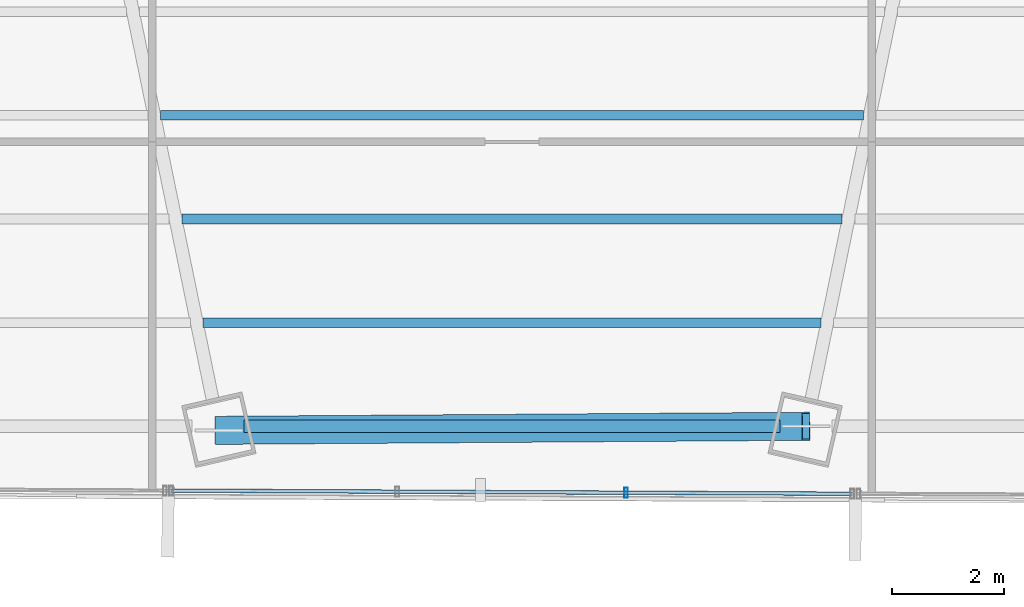
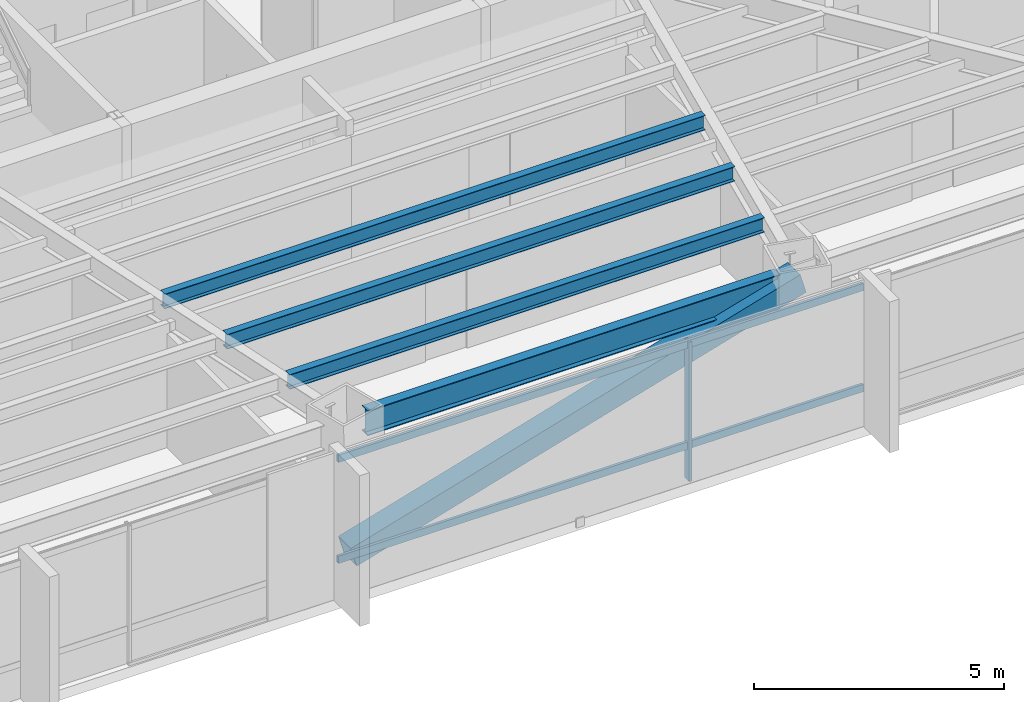
# One storey, part 9 of 37: 4 beams, 4 members, 1 element without a shape of its own.
"""IFC4 building model written with IfcOpenShell, lengths in metres."""

from ifc_helpers import new_model, si_unit, direction, frame, origin, origin_2d, place, context, subcontext, project, spatial, hollow_rectangle, i_section, extrude, source, transform, mapped, material, material_profile, profile_set, type_object, type_shapes, element, aggregate, save


model = new_model("IFC4")

# Units and contexts
model_context = context("Model", 3, precision=1e-05, world=origin(), true_north=direction((0.0, 1.0)))
body_context = subcontext(model_context, "Body", "Model", "MODEL_VIEW")
ifc_project = project(units=[si_unit("LENGTHUNIT", "METRE"), si_unit("AREAUNIT", "SQUARE_METRE"), si_unit("VOLUMEUNIT", "CUBIC_METRE"), si_unit("PLANEANGLEUNIT", "RADIAN"), si_unit("MASSUNIT", "GRAM", prefix="KILO")], contexts=[model_context])

# Site, building, storey
site_placement = place(None, origin())
site = spatial("IfcSite", under=ifc_project, at=site_placement, CompositionType="ELEMENT")
building_placement = place(site_placement, origin())
building = spatial("IfcBuilding", under=site, at=building_placement, Name="Caelisora Broadcast Tower", CompositionType="ELEMENT")
storey_placement = place(building_placement, frame((0.0, 0.0, 101.75)))
storey = spatial("IfcBuildingStorey", under=building, at=storey_placement, Name="L26", CompositionType="ELEMENT", Elevation=101.75)

# Beams
ifc_material_1 = material(Name="Steel Grade 350 (AS/NZS 3679.1)", Category="steel")
ifc_material_profile_1 = material_profile(ifc_material_1, i_section(OverallWidth=0.22900390625, OverallDepth=0.611572265625, WebThickness=0.011962890625, FlangeThickness=0.01953125, at=origin_2d()), Name="Steel Grade 350 (AS/NZS 3679.1)")
ifc_profile_set_1 = profile_set([ifc_material_profile_1], Name="Steel Grade 350 (AS/NZS 3679.1)")
beam_type_1 = type_object("IfcBeamType", Name="PG03", PredefinedType="BEAM", material=ifc_profile_set_1)
shared_shape_1 = source(origin(), body_context, "Body", "SweptSolid", [
    extrude(i_section(OverallWidth=0.22900390625, OverallDepth=0.611572265625, WebThickness=0.011962890625, FlangeThickness=0.01953125, at=origin_2d()), origin(), (0.0, 0.0, 1.0), 9.533203125),
])
type_shapes(beam_type_1, [shared_shape_1])
beam_1_placement = place(storey_placement, frame((33.2333984375, 6.341064453125, 3.09423828125), z_axis=(1.0, 0.0, 0.0), x_axis=(0.0, 1.0, 0.0)))
element("IfcBeam", 1, at=beam_1_placement, inside=storey, type_object=beam_type_1, Name="L26 beam PG03", PredefinedType="BEAM", context=body_context, shape_type="MappedRepresentation", body=[
    mapped(shared_shape_1, transform((0.0, 0.0, 0.0), scale=1.0)),
])
ifc_material_profile_2 = material_profile(ifc_material_1, i_section(OverallWidth=0.172119140625, OverallDepth=0.358642578125, WebThickness=0.008056640625, FlangeThickness=0.012939453125, at=origin_2d()), Name="Steel Grade 350 (AS/NZS 3679.1)")
ifc_profile_set_2 = profile_set([ifc_material_profile_2], Name="Steel Grade 350 (AS/NZS 3679.1)")
beam_type_2 = type_object("IfcBeamType", Name="SB02", PredefinedType="JOIST", material=ifc_profile_set_2)
shared_shape_2 = source(origin(), body_context, "Body", "SweptSolid", [
    extrude(i_section(OverallWidth=0.172119140625, OverallDepth=0.358642578125, WebThickness=0.008056640625, FlangeThickness=0.012939453125, at=origin_2d()), origin(), (0.0, 0.0, 1.0), 12.5),
])
beam_2_placement = place(storey_placement, frame((31.75, 11.87060546875, 3.220703125), z_axis=(1.0, 0.0, 0.0), x_axis=(0.0, 1.0, 0.0)))
element("IfcBeam", 2, at=beam_2_placement, inside=storey, type_object=beam_type_2, Name="L26 beam SB02", PredefinedType="JOIST", context=body_context, shape_type="MappedRepresentation", body=[
    mapped(shared_shape_2, transform((0.0, 0.0, 0.0), scale=1.0)),
])
shared_shape_3 = source(origin(), body_context, "Body", "SweptSolid", [
    extrude(i_section(OverallWidth=0.172119140625, OverallDepth=0.358642578125, WebThickness=0.008056640625, FlangeThickness=0.012939453125, at=origin_2d()), origin(), (0.0, 0.0, 1.0), 11.7421875),
])
beam_3_placement = place(storey_placement, frame((32.12890625, 10.02734375, 3.220703125), z_axis=(1.0, 0.0, 0.0), x_axis=(0.0, 1.0, 0.0)))
element("IfcBeam", 3, at=beam_3_placement, inside=storey, type_object=beam_type_2, Name="L26 beam SB02", PredefinedType="JOIST", context=body_context, shape_type="MappedRepresentation", body=[
    mapped(shared_shape_3, transform((0.0, 0.0, 0.0), scale=1.0)),
])
shared_shape_4 = source(origin(), body_context, "Body", "SweptSolid", [
    extrude(i_section(OverallWidth=0.172119140625, OverallDepth=0.358642578125, WebThickness=0.008056640625, FlangeThickness=0.012939453125, at=origin_2d()), origin(), (0.0, 0.0, 1.0), 10.984375),
])
type_shapes(beam_type_2, [shared_shape_2, shared_shape_3, shared_shape_4])
beam_4_placement = place(storey_placement, frame((32.5078125, 8.18408203125, 3.220703125), z_axis=(1.0, 0.0, 0.0), x_axis=(0.0, 1.0, 0.0)))
element("IfcBeam", 4, at=beam_4_placement, inside=storey, type_object=beam_type_2, Name="L26 beam SB02", PredefinedType="JOIST", context=body_context, shape_type="MappedRepresentation", body=[
    mapped(shared_shape_4, transform((0.0, 0.0, 0.0), scale=1.0)),
])

# Member
ifc_material_2 = material(Name="Steel Grade 450 L15 (AS/NZS 3678)", Category="steel")
ifc_material_profile_3 = material_profile(ifc_material_2, hollow_rectangle(XDim=0.5, YDim=0.5, WallThickness=0.02001953125, at=origin_2d()), Name="Steel Grade 450 L15 (AS/NZS 3678)")
ifc_profile_set_3 = profile_set([ifc_material_profile_3], Name="Steel Grade 450 L15 (AS/NZS 3678)")
member_type_1 = type_object("IfcMemberType", Name="BR02", PredefinedType="BRACE", material=ifc_profile_set_3)
shared_shape_5 = source(origin(), body_context, "Body", "SweptSolid", [
    extrude(hollow_rectangle(XDim=0.5, YDim=0.5, WallThickness=0.02001953125, at=origin_2d()), origin(), (0.0, 0.0, 1.0), 10.85986328125),
])
type_shapes(member_type_1, [shared_shape_5])
member_1_placement = place(storey_placement, frame((32.789794921875, 6.268798828125, 0.10009765625), z_axis=(0.961063694539, 0.00665438254, 0.276246799497), x_axis=(-0.006923810641, 0.999976030136, 0.0)))
element("IfcMember", 5, at=member_1_placement, inside=storey, type_object=member_type_1, Name="L26 perimeter brace BR02", PredefinedType="BRACE", context=body_context, shape_type="MappedRepresentation", body=[
    mapped(shared_shape_5, transform((0.0, 0.0, 0.0), scale=1.0)),
])

# Curtain wall, members
ifc_material_3 = material(Name="Unitised Aluminium Insulated Shadow-Box Spandrel Curtain Wall", Category="aluminium")
curtain_wall_type = type_object("IfcCurtainWallType", Name="CW-SP1", PredefinedType="NOTDEFINED", material=ifc_material_3)
curtain_wall_placement = place(storey_placement, origin())
curtain_wall = element("IfcCurtainWall", 6, at=curtain_wall_placement, inside=storey, type_object=curtain_wall_type, Name="L26 curtain wall CW-SP1", PredefinedType="NOTDEFINED")
ifc_material_4 = material(Name="Aluminium 6063-T6 Anodised Terracotta Bronze", Category="aluminium")
ifc_material_profile_4 = material_profile(ifc_material_4, hollow_rectangle(XDim=0.06494140625, YDim=0.179931640625, WallThickness=0.00341796875, at=origin_2d()), Name="Aluminium 6063-T6 Anodised Terracotta Bronze")
ifc_profile_set_4 = profile_set([ifc_material_profile_4], Name="Aluminium 6063-T6 Anodised Terracotta Bronze")
member_type_2 = type_object("IfcMemberType", Name="CWM-02", PredefinedType="MULLION", material=ifc_profile_set_4)
shared_shape_6 = source(origin(), body_context, "Body", "SweptSolid", [
    extrude(hollow_rectangle(XDim=0.06494140625, YDim=0.179931640625, WallThickness=0.00341796875, at=origin_2d()), origin(), (0.0, 0.0, 1.0), 3.39990234375),
])
type_shapes(member_type_2, [shared_shape_6])
member_2_placement = place(storey_placement, frame((40.030029296875, 5.16015625, 0.0), z_axis=(0.0, 0.0, 1.0), x_axis=(1.0, 0.0, 0.0)))
member_2 = element("IfcMember", 7, at=member_2_placement, type_object=member_type_2, Name="L26-CW-B06 mullion #1", PredefinedType="MULLION", context=body_context, shape_type="MappedRepresentation", body=[
    mapped(shared_shape_6, transform((0.0, 0.0, 0.0), scale=1.0)),
])
ifc_material_profile_5 = material_profile(ifc_material_4, hollow_rectangle(XDim=0.06494140625, YDim=0.179931640625, WallThickness=0.00341796875, at=origin_2d()), Name="Aluminium 6063-T6 Anodised Terracotta Bronze")
ifc_profile_set_5 = profile_set([ifc_material_profile_5], Name="Aluminium 6063-T6 Anodised Terracotta Bronze")
member_type_3 = type_object("IfcMemberType", Name="CWT-01", PredefinedType="USERDEFINED", material=ifc_profile_set_5)
shared_shape_7 = source(origin(), body_context, "Body", "SweptSolid", [
    extrude(hollow_rectangle(XDim=0.06494140625, YDim=0.179931640625, WallThickness=0.00341796875, at=origin_2d()), origin(), (0.0, 0.0, 1.0), 12.110595703125),
])
type_shapes(member_type_3, [shared_shape_7])
member_3_placement = place(storey_placement, frame((44.050048828125, 5.1416015625, 0.85009765625), z_axis=(-0.999989436705, 0.004596354963, 0.0), x_axis=(-0.004596354963, -0.999989436705, 0.0)))
member_3 = element("IfcMember", 8, at=member_3_placement, type_object=member_type_3, Name="L26-CW-B06 transom #1", ObjectType="TRANSOM", PredefinedType="USERDEFINED", context=body_context, shape_type="MappedRepresentation", body=[
    mapped(shared_shape_7, transform((0.0, 0.0, 0.0), scale=1.0)),
])
member_4_placement = place(storey_placement, frame((44.050048828125, 5.1416015625, 3.320068359375), z_axis=(-0.999989436705, 0.004596354963, 0.0), x_axis=(-0.004596354963, -0.999989436705, 0.0)))
member_4 = element("IfcMember", 9, at=member_4_placement, type_object=member_type_3, Name="L26-CW-B06 transom #2", ObjectType="TRANSOM", PredefinedType="USERDEFINED", context=body_context, shape_type="MappedRepresentation", body=[
    mapped(shared_shape_7, transform((0.0, 0.0, 0.0), scale=1.0)),
])
aggregate(curtain_wall, [member_2, member_3, member_4])

save(model, "model.ifc")
